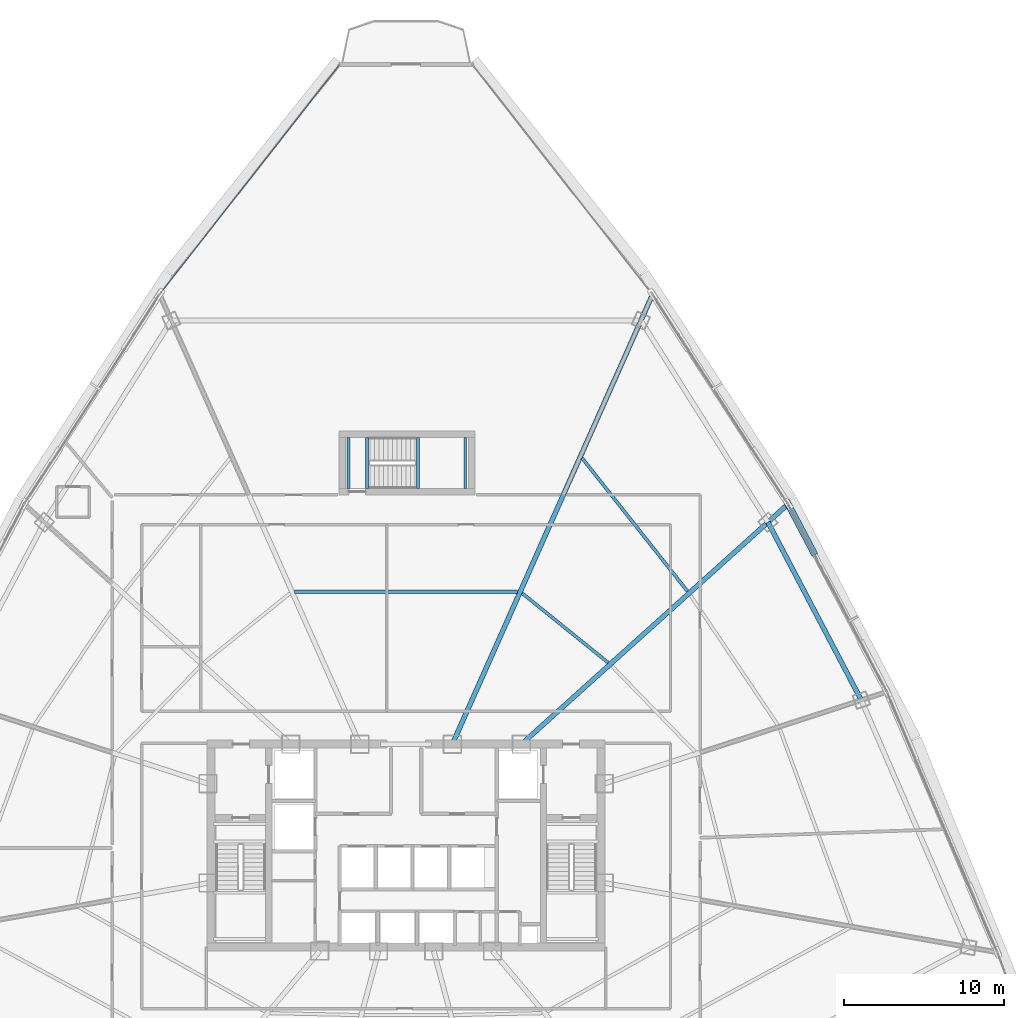
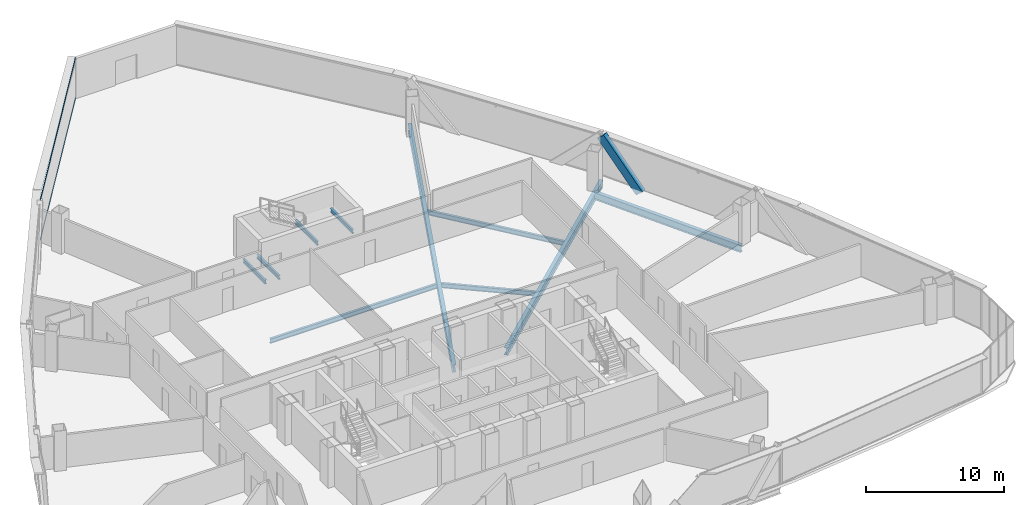
# One storey, part 19 of 38: 10 beams, 3 members, 1 element without a shape of its own.
"""IFC4 building model written with IfcOpenShell, lengths in metres."""

from ifc_helpers import new_model, si_unit, direction, frame, origin, origin_2d, place, context, subcontext, project, spatial, hollow_rectangle, i_section, extrude, source, transform, mapped, material, layer, layer_set, material_profile, profile_set, type_object, element, aggregate, save


model = new_model("IFC4")

# Units and contexts
model_context = context("Model", 3, precision=1e-05, world=origin(), true_north=direction((0.0, 1.0)))
body_context = subcontext(model_context, "Body", "Model", "MODEL_VIEW")
ifc_project = project(units=[si_unit("LENGTHUNIT", "METRE"), si_unit("AREAUNIT", "SQUARE_METRE"), si_unit("VOLUMEUNIT", "CUBIC_METRE"), si_unit("PLANEANGLEUNIT", "RADIAN"), si_unit("MASSUNIT", "GRAM", prefix="KILO"), si_unit("THERMODYNAMICTEMPERATUREUNIT", "KELVIN"), si_unit("POWERUNIT", "WATT")], contexts=[model_context])

# Site, building, storey
site_placement = place(None, origin())
site = spatial("IfcSite", under=ifc_project, at=site_placement, CompositionType="ELEMENT")
building_placement = place(site_placement, origin())
building = spatial("IfcBuilding", under=site, at=building_placement, Name="Yunzhuo Pagoda Commons", CompositionType="ELEMENT")
storey_placement = place(building_placement, frame((0.0, 0.0, 203.760009765625)))
storey = spatial("IfcBuildingStorey", under=building, at=storey_placement, Name="L51", CompositionType="ELEMENT", Elevation=203.760009765625)

# Beams
ifc_material_1 = material(Name="Structural steel Q355B", Category="steel")
ifc_material_profile_1 = material_profile(ifc_material_1, i_section(OverallWidth=0.175048828125, OverallDepth=0.35009765625, WebThickness=0.007080078125, FlangeThickness=0.010986328125, at=origin_2d()), Name="Structural steel Q355B")
ifc_profile_set_1 = profile_set([ifc_material_profile_1], Name="Structural steel Q355B")
beam_type_1 = type_object("IfcBeamType", Name="B-JS2 Joist HN 350x175x7x11", PredefinedType="JOIST", material=ifc_profile_set_1)
shared_shape_1 = source(origin(), body_context, "Body", "SweptSolid", [
    extrude(i_section(OverallWidth=0.175048828125, OverallDepth=0.35009765625, WebThickness=0.007080078125, FlangeThickness=0.010986328125, at=origin_2d()), origin(), (0.0, 0.0, 1.0), 3.199951171875),
])
for number, where, z_axis, x_axis, name in (
    (1, (48.75, 56.199951171875, 1.52490234375), (0.0, 1.0, 0.0), (-1.0, 0.0, 0.0), "L51 ST3 landing support beam 57A"),
    (2, (51.699951171875, 56.199951171875, 1.52490234375), (0.0, 1.0, 0.0), (-1.0, 0.0, 0.0), "L51 ST3 landing support beam 57B"),
    (3, (44.39990234375, 56.199951171875, -0.375), (0.0, 1.0, 0.0), (-1.0, 0.0, 0.0), "L51 ST3 landing support beam 125A"),
    (4, (45.550048828125, 56.199951171875, -0.375), (0.0, 1.0, 0.0), (-1.0, 0.0, 0.0), "L51 ST3 landing support beam 125B"),
):
    element("IfcBeam", number, at=place(storey_placement, frame(where, z_axis=z_axis, x_axis=x_axis)), inside=storey, type_object=beam_type_1, Name=name, PredefinedType="JOIST", context=body_context, shape_type="MappedRepresentation", body=[
        mapped(shared_shape_1, transform((0.0, 0.0, 0.0), scale=1.0)),
    ])
ifc_material_profile_2 = material_profile(ifc_material_1, i_section(OverallWidth=0.300048828125, OverallDepth=0.64990234375, WebThickness=0.012939453125, FlangeThickness=0.02197265625, at=origin_2d()), Name="Structural steel Q355B")
ifc_profile_set_2 = profile_set([ifc_material_profile_2], Name="Structural steel Q355B")
beam_type_2 = type_object("IfcBeamType", Name="B-RG2 Beam HN 650x300x13x22", PredefinedType="BEAM", material=ifc_profile_set_2)
shared_shape_2 = source(origin(), body_context, "Body", "SweptSolid", [
    extrude(i_section(OverallWidth=0.300048828125, OverallDepth=0.64990234375, WebThickness=0.012939453125, FlangeThickness=0.02197265625, at=origin_2d()), origin(), (0.0, 0.0, 1.0), 12.576416015625),
])
beam_1_placement = place(storey_placement, frame((76.49462890625, 42.95849609375, -0.5849609375), z_axis=(-0.464676385233, 0.885480579689, 0.0), x_axis=(-0.885480579689, -0.464676385233, 0.0)))
element("IfcBeam", 5, at=beam_1_placement, inside=storey, type_object=beam_type_2, Name="L51 column-ring beam 6", PredefinedType="BEAM", context=body_context, shape_type="MappedRepresentation", body=[
    mapped(shared_shape_2, transform((0.0, 0.0, 0.0), scale=1.0)),
])
ifc_material_profile_3 = material_profile(ifc_material_1, i_section(OverallWidth=0.199951171875, OverallDepth=0.39990234375, WebThickness=0.008056640625, FlangeThickness=0.012939453125, at=origin_2d()), Name="Structural steel Q355B")
ifc_profile_set_3 = profile_set([ifc_material_profile_3], Name="Structural steel Q355B")
beam_type_3 = type_object("IfcBeamType", Name="B-JS1 Joist HN 400x200x8x13", PredefinedType="JOIST", material=ifc_profile_set_3)
shared_shape_3 = source(origin(), body_context, "Body", "SweptSolid", [
    extrude(i_section(OverallWidth=0.199951171875, OverallDepth=0.39990234375, WebThickness=0.008056640625, FlangeThickness=0.012939453125, at=origin_2d()), origin(), (0.0, 0.0, 1.0), 6.916748046875),
])
beam_2_placement = place(storey_placement, frame((60.650634765625, 45.302001953125, -0.4599609375), z_axis=(-0.778265575865, 0.627935262127, 0.0), x_axis=(-0.627935262127, -0.778265575865, 0.0)))
element("IfcBeam", 6, at=beam_2_placement, inside=storey, type_object=beam_type_3, Name="L51 composite ring joist 1.7", PredefinedType="JOIST", context=body_context, shape_type="MappedRepresentation", body=[
    mapped(shared_shape_3, transform((0.0, 0.0, 0.0), scale=1.0)),
])
shared_shape_4 = source(origin(), body_context, "Body", "SweptSolid", [
    extrude(i_section(OverallWidth=0.199951171875, OverallDepth=0.39990234375, WebThickness=0.008056640625, FlangeThickness=0.012939453125, at=origin_2d()), origin(), (0.0, 0.0, 1.0), 10.62548828125),
])
beam_3_placement = place(storey_placement, frame((65.614013671875, 49.773193359375, -0.4599609375), z_axis=(-0.620561688531, 0.784157631301, 0.0), x_axis=(-0.784157631301, -0.620561688531, 0.0)))
element("IfcBeam", 7, at=beam_3_placement, inside=storey, type_object=beam_type_3, Name="L51 composite ring joist 2.7", PredefinedType="JOIST", context=body_context, shape_type="MappedRepresentation", body=[
    mapped(shared_shape_4, transform((0.0, 0.0, 0.0), scale=1.0)),
])
shared_shape_5 = source(origin(), body_context, "Body", "SweptSolid", [
    extrude(i_section(OverallWidth=0.199951171875, OverallDepth=0.39990234375, WebThickness=0.008056640625, FlangeThickness=0.012939453125, at=origin_2d()), origin(), (0.0, 0.0, 1.0), 13.9697265625),
])
beam_4_placement = place(storey_placement, frame((54.98486328125, 49.7451171875, -0.4599609375), z_axis=(-1.0, 0.0, 0.0), x_axis=(0.0, -1.0, 0.0)))
element("IfcBeam", 8, at=beam_4_placement, inside=storey, type_object=beam_type_3, Name="L51 composite ring joist 1.8", PredefinedType="JOIST", context=body_context, shape_type="MappedRepresentation", body=[
    mapped(shared_shape_5, transform((0.0, 0.0, 0.0), scale=1.0)),
])
shared_shape_6 = source(origin(), body_context, "Body", "SweptSolid", [
    extrude(i_section(OverallWidth=0.300048828125, OverallDepth=0.64990234375, WebThickness=0.012939453125, FlangeThickness=0.02197265625, at=origin_2d()), origin(), (0.0, 0.0, 1.0), 22.309326171875),
])
beam_5_placement = place(storey_placement, frame((71.798095703125, 55.1279296875, -0.5849609375), z_axis=(-0.743142854704, -0.669132795118, 0.0), x_axis=(0.669132795118, -0.743142854704, 0.0)))
element("IfcBeam", 9, at=beam_5_placement, inside=storey, type_object=beam_type_2, Name="L51 radial floor girder F2C3", PredefinedType="BEAM", context=body_context, shape_type="MappedRepresentation", body=[
    mapped(shared_shape_6, transform((0.0, 0.0, 0.0), scale=1.0)),
])
shared_shape_7 = source(origin(), body_context, "Body", "SweptSolid", [
    extrude(i_section(OverallWidth=0.300048828125, OverallDepth=0.64990234375, WebThickness=0.012939453125, FlangeThickness=0.02197265625, at=origin_2d()), origin(), (0.0, 0.0, 1.0), 30.670166015625),
])
beam_6_placement = place(storey_placement, frame((63.36865234375, 68.218505859375, -0.5849609375), z_axis=(-0.406735149386, -0.913546122675, 0.0), x_axis=(0.913546122675, -0.406735149386, 0.0)))
element("IfcBeam", 10, at=beam_6_placement, inside=storey, type_object=beam_type_2, Name="L51 radial floor girder F2C4", PredefinedType="BEAM", context=body_context, shape_type="MappedRepresentation", body=[
    mapped(shared_shape_7, transform((0.0, 0.0, 0.0), scale=1.0)),
])

# Member
ifc_material_profile_4 = material_profile(ifc_material_1, hollow_rectangle(XDim=0.39990234375, YDim=0.719970703125, WallThickness=0.02392578125, at=origin_2d()), Name="Structural steel Q355B")
ifc_profile_set_4 = profile_set([ifc_material_profile_4], Name="Structural steel Q355B")
member_type_1 = type_object("IfcMemberType", Name="M-DL2 Brace BOX 720x400x24", PredefinedType="BRACE", material=ifc_profile_set_4)
shared_shape_8 = source(origin(), body_context, "Body", "SweptSolid", [
    extrude(hollow_rectangle(XDim=0.39990234375, YDim=0.719970703125, WallThickness=0.02392578125, at=origin_2d()), origin(), (0.0, 0.0, 1.0), 5.046142578125),
])
member_1_placement = place(storey_placement, frame((73.461669921875, 52.29443359375, -0.260009765625), z_axis=(-0.306878883424, 0.582020016962, 0.753045849045), x_axis=(-0.884571858339, -0.466403931625, 0.0)))
element("IfcMember", 11, at=member_1_placement, inside=storey, type_object=member_type_1, Name="L51 facade diamond brace F2.2R", PredefinedType="BRACE", context=body_context, shape_type="MappedRepresentation", body=[
    mapped(shared_shape_8, transform((0.0, 0.0, 0.0), scale=1.0)),
])

# Curtain wall, members
ifc_material_2 = material(Name="Anodized aluminium 6063-T6", Category="aluminium")
ifc_layer = layer(ifc_material_2, 0.14990234375)
ifc_layer_set = layer_set([ifc_layer], Name="Anodized aluminium 6063-T6")
curtain_wall_type = type_object("IfcCurtainWallType", Name="CW-MID Mid-Zone Ribbon Curtain Wall", PredefinedType="NOTDEFINED", material=ifc_layer_set)
curtain_wall_placement = place(storey_placement, origin())
curtain_wall = element("IfcCurtainWall", 12, at=curtain_wall_placement, inside=storey, type_object=curtain_wall_type, Name="L51 curtain wall CW-L51-F3B1", PredefinedType="NOTDEFINED")
ifc_material_profile_5 = material_profile(ifc_material_2, hollow_rectangle(XDim=0.054931640625, YDim=0.1298828125, WallThickness=0.00341796875, at=origin_2d()), Name="Anodized aluminium 6063-T6")
ifc_profile_set_5 = profile_set([ifc_material_profile_5], Name="Anodized aluminium 6063-T6")
member_type_2 = type_object("IfcMemberType", Name="CW-MID-T Transom RHS 130x55x3.5", PredefinedType="USERDEFINED", material=ifc_profile_set_5)
shared_shape_9 = source(origin(), body_context, "Body", "SweptSolid", [
    extrude(hollow_rectangle(XDim=0.054931640625, YDim=0.1298828125, WallThickness=0.00341796875, at=origin_2d()), origin(), (0.0, 0.0, 1.0), 18.089111328125),
])
member_2_placement = place(storey_placement, frame((43.808349609375, 82.705078125, 0.027587890625), z_axis=(-0.616765964752, -0.787146584013, 0.0), x_axis=(0.787146584013, -0.616765964752, 0.0)))
member_2 = element("IfcMember", 13, at=member_2_placement, type_object=member_type_2, Name="CW transom 1.1", ObjectType="TRANSOM", PredefinedType="USERDEFINED", context=body_context, shape_type="MappedRepresentation", body=[
    mapped(shared_shape_9, transform((0.0, 0.0, 0.0), scale=1.0)),
])
member_3_placement = place(storey_placement, frame((43.808349609375, 82.705078125, 3.512451171875), z_axis=(-0.616765964752, -0.787146584013, 0.0), x_axis=(0.787146584013, -0.616765964752, 0.0)))
member_3 = element("IfcMember", 14, at=member_3_placement, type_object=member_type_2, Name="CW transom 1.2", ObjectType="TRANSOM", PredefinedType="USERDEFINED", context=body_context, shape_type="MappedRepresentation", body=[
    mapped(shared_shape_9, transform((0.0, 0.0, 0.0), scale=1.0)),
])
aggregate(curtain_wall, [member_2, member_3])

save(model, "model.ifc")
